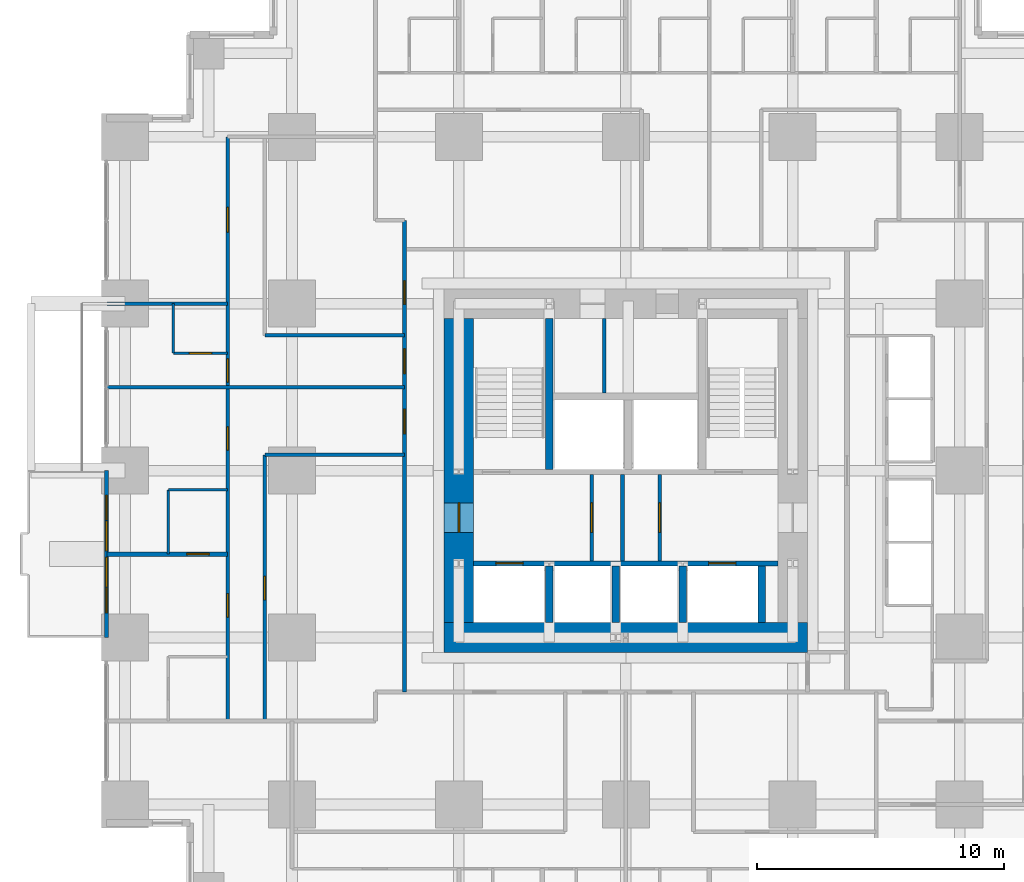
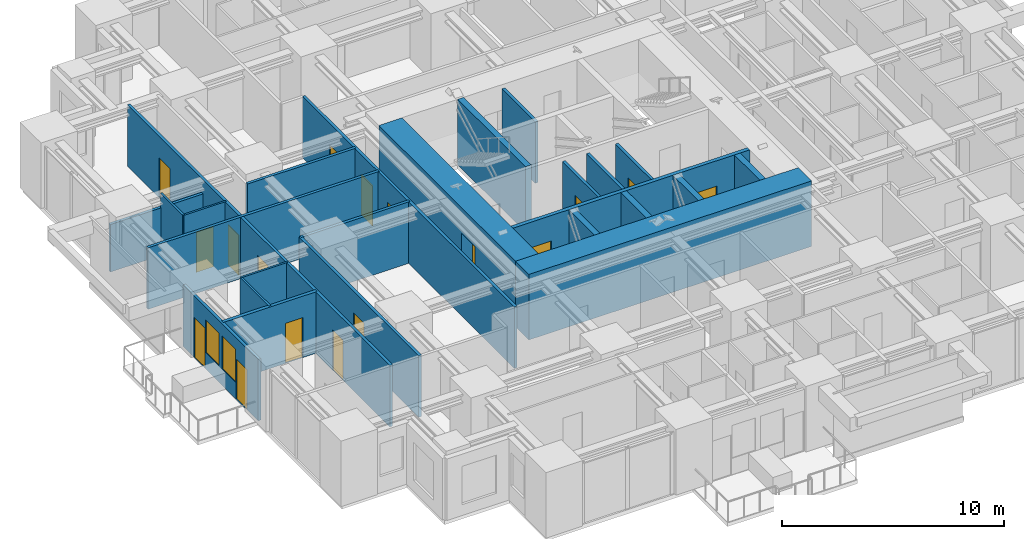
# One storey, part 9 of 15: 25 walls, 17 doors, 2 windows, 19 openings.
"""IFC4 building model written with IfcOpenShell, lengths in metres."""

from ifc_helpers import new_model, si_unit, direction, frame, frame_2d, origin, place, context, subcontext, project, spatial, rectangle, extrude, material, layer, layer_set, type_object, element, fill, save


model = new_model("IFC4")

# Units and contexts
model_context = context("Model", 3, precision=1e-05, world=origin(), true_north=direction((0.0, 1.0)))
body_context = subcontext(model_context, "Body", "Model", "MODEL_VIEW")
ifc_project = project(units=[si_unit("LENGTHUNIT", "METRE"), si_unit("AREAUNIT", "SQUARE_METRE"), si_unit("VOLUMEUNIT", "CUBIC_METRE"), si_unit("PLANEANGLEUNIT", "RADIAN"), si_unit("MASSUNIT", "GRAM", prefix="KILO")], contexts=[model_context])

# Site, building, storey
site_placement = place(None, origin())
site = spatial("IfcSite", under=ifc_project, at=site_placement, CompositionType="ELEMENT")
building_placement = place(site_placement, origin())
building = spatial("IfcBuilding", under=site, at=building_placement, Name="Nyansa Garden Tower", CompositionType="ELEMENT")
storey_placement = place(building_placement, frame((0.0, 0.0, 32.39990234375)))
storey = spatial("IfcBuildingStorey", under=building, at=storey_placement, Name="L08", CompositionType="ELEMENT", Elevation=32.39990234375)

# Wall, opening, door
ifc_material_1 = material(Name="Dense blockwork, plastered both sides, 55 dB", Category="masonry")
ifc_layer_1 = layer(ifc_material_1, 0.175048828125)
ifc_layer_set_1 = layer_set([ifc_layer_1], Name="Acoustic party wall PW175")
wall_type_1 = type_object("IfcWallType", Name="Acoustic party wall PW175", PredefinedType="PARTITIONING", material=ifc_layer_set_1)
wall_1_placement = place(storey_placement, frame((-0.73388671875, 16.875, 0.0), z_axis=(0.0, 0.0, 1.0), x_axis=(1.0, 0.0, 0.0)))
wall_1 = element("IfcWall", 1, at=wall_1_placement, inside=storey, type_object=wall_type_1, Name="Party wall", PredefinedType="PARTITIONING", context=body_context, shape_type="SweptSolid", body=[
    extrude(rectangle(XDim=4.8837890625, YDim=0.175048828125, at=frame_2d((2.44189453125, 0.0))), origin(), (0.0, 0.0, 1.0), 3.375),
])
opening_1_placement = place(wall_1_placement, frame((3.23388671875, 0.0, 0.0)))
opening_1 = element("IfcOpeningElement", 2, at=opening_1_placement, cuts=wall_1, Name="Opening D02", PredefinedType="OPENING", context=body_context, shape_type="SweptSolid", body=[
    extrude(rectangle(XDim=0.89990234375, YDim=2.199951171875, at=frame_2d((0.449951171875, 1.10009765625))), frame((0.0, 0.097412109375, 0.0), z_axis=(0.0, -1.0, 0.0), x_axis=(1.0, 0.0, 0.0)), (0.0, 0.0, 1.0), 0.195068359375),
])
ifc_material_2 = material(Name="Timber flush door", Category="wood")
door_type_1 = type_object("IfcDoorType", Name="En-suite door D02 900x2200", OperationType="SINGLE_SWING_RIGHT", PredefinedType="DOOR", material=ifc_material_2)
door_1_placement = place(opening_1_placement, origin())
door_1 = element("IfcDoor", 3, at=door_1_placement, inside=storey, type_object=door_type_1, Name="Door L08-075", OperationType="SINGLE_SWING_RIGHT", OverallHeight=2.199951171875, OverallWidth=0.89990234375, PredefinedType="DOOR", context=body_context, shape_type="SweptSolid", body=[
    extrude(rectangle(XDim=0.89990234375, YDim=2.199951171875, at=frame_2d((0.449951171875, 1.10009765625))), frame((0.0, 0.02490234375, 0.0), z_axis=(0.0, -1.0, 0.0), x_axis=(1.0, 0.0, 0.0)), (0.0, 0.0, 1.0), 0.050048828125),
])
fill(opening_1, door_1)

# Wall, openings, doors, windows
ifc_material_3 = material(Name="Black aluminium framed glazed screen", Category="aluminium")
ifc_layer_2 = layer(ifc_material_3, 0.14990234375)
ifc_layer_set_2 = layer_set([ifc_layer_2], Name="Balcony screen wall BW150")
wall_type_2 = type_object("IfcWallType", Name="Balcony screen wall BW150", PredefinedType="SOLIDWALL", material=ifc_layer_set_2)
wall_2_placement = place(storey_placement, frame((-0.75, 13.5, 0.0), z_axis=(0.0, 0.0, 1.0), x_axis=(0.0, 1.0, 0.0)))
wall_2 = element("IfcWall", 4, at=wall_2_placement, inside=storey, type_object=wall_type_2, Name="Glazed screen wall L08 W", PredefinedType="SOLIDWALL", context=body_context, shape_type="SweptSolid", body=[
    extrude(rectangle(XDim=6.75, YDim=0.14990234375, at=frame_2d((3.375, 0.0))), origin(), (0.0, 0.0, 1.0), 3.375),
])
opening_2_placement = place(wall_2_placement, frame((0.995849609375, 0.0, 0.0)))
opening_2 = element("IfcOpeningElement", 5, at=opening_2_placement, cuts=wall_2, Name="Opening D20", PredefinedType="OPENING", context=body_context, shape_type="SweptSolid", body=[
    extrude(rectangle(XDim=1.0, YDim=2.199951171875, at=frame_2d((0.5, 1.10009765625))), frame((0.0, 0.0849609375, 0.0), z_axis=(0.0, -1.0, 0.0), x_axis=(1.0, 0.0, 0.0)), (0.0, 0.0, 1.0), 0.169921875),
])
opening_3_placement = place(wall_2_placement, frame((2.041748046875, 0.0, 0.89990234375)))
opening_3 = element("IfcOpeningElement", 6, at=opening_3_placement, cuts=wall_2, Name="Opening W6", PredefinedType="OPENING", context=body_context, shape_type="SweptSolid", body=[
    extrude(rectangle(XDim=1.199951171875, YDim=1.800048828125, at=frame_2d((0.60009765625, 0.89990234375))), frame((0.0, 0.0849609375, 0.0), z_axis=(0.0, -1.0, 0.0), x_axis=(1.0, 0.0, 0.0)), (0.0, 0.0, 1.0), 0.169921875),
])
opening_4_placement = place(wall_2_placement, frame((4.754150390625, 0.0, 0.0)))
opening_4 = element("IfcOpeningElement", 7, at=opening_4_placement, cuts=wall_2, Name="Opening D20", PredefinedType="OPENING", context=body_context, shape_type="SweptSolid", body=[
    extrude(rectangle(XDim=1.0, YDim=2.199951171875, at=frame_2d((0.5, 1.10009765625))), frame((0.0, 0.0849609375, 0.0), z_axis=(0.0, -1.0, 0.0), x_axis=(1.0, 0.0, 0.0)), (0.0, 0.0, 1.0), 0.169921875),
])
opening_5_placement = place(wall_2_placement, frame((3.50830078125, 0.0, 0.89990234375)))
opening_5 = element("IfcOpeningElement", 8, at=opening_5_placement, cuts=wall_2, Name="Opening W6", PredefinedType="OPENING", context=body_context, shape_type="SweptSolid", body=[
    extrude(rectangle(XDim=1.199951171875, YDim=1.800048828125, at=frame_2d((0.60009765625, 0.89990234375))), frame((0.0, 0.0849609375, 0.0), z_axis=(0.0, -1.0, 0.0), x_axis=(1.0, 0.0, 0.0)), (0.0, 0.0, 1.0), 0.169921875),
])
ifc_material_4 = material(Name="Black aluminium framed glazed door", Category="aluminium")
door_type_2 = type_object("IfcDoorType", Name="Balcony door D20 1000x2200", OperationType="NOTDEFINED", PredefinedType="DOOR", material=ifc_material_4)
door_2_placement = place(opening_2_placement, origin())
door_2 = element("IfcDoor", 9, at=door_2_placement, inside=storey, type_object=door_type_2, Name="Balcony door L08", OperationType="SINGLE_SWING_LEFT", OverallHeight=2.199951171875, OverallWidth=1.0, PredefinedType="DOOR", context=body_context, shape_type="SweptSolid", body=[
    extrude(rectangle(XDim=1.0, YDim=2.199951171875, at=frame_2d((0.5, 1.10009765625))), frame((0.0, 0.02490234375, 0.0), z_axis=(0.0, -1.0, 0.0), x_axis=(1.0, 0.0, 0.0)), (0.0, 0.0, 1.0), 0.050048828125),
])
fill(opening_2, door_2)
door_3_placement = place(opening_4_placement, origin())
door_3 = element("IfcDoor", 10, at=door_3_placement, inside=storey, type_object=door_type_2, Name="Balcony door L08", OperationType="SINGLE_SWING_RIGHT", OverallHeight=2.199951171875, OverallWidth=1.0, PredefinedType="DOOR", context=body_context, shape_type="SweptSolid", body=[
    extrude(rectangle(XDim=1.0, YDim=2.199951171875, at=frame_2d((0.5, 1.10009765625))), frame((0.0, 0.02490234375, 0.0), z_axis=(0.0, -1.0, 0.0), x_axis=(1.0, 0.0, 0.0)), (0.0, 0.0, 1.0), 0.050048828125),
])
fill(opening_4, door_3)
ifc_material_5 = material(Name="Black aluminium frame, dark tinted double glazing", Category="aluminium")
window_type = type_object("IfcWindowType", Name="Balcony window W6 1200x1800", PartitioningType="SINGLE_PANEL", PredefinedType="WINDOW", material=ifc_material_5)
window_1_placement = place(opening_3_placement, origin())
window_1 = element("IfcWindow", 11, at=window_1_placement, inside=storey, type_object=window_type, Name="Window L08", OverallHeight=1.800048828125, OverallWidth=1.199951171875, PartitioningType="SINGLE_PANEL", PredefinedType="WINDOW", context=body_context, shape_type="SweptSolid", body=[
    extrude(rectangle(XDim=1.199951171875, YDim=1.800048828125, at=frame_2d((0.60009765625, 0.89990234375))), frame((0.0, 0.030029296875, 0.0), z_axis=(0.0, -1.0, 0.0), x_axis=(1.0, 0.0, 0.0)), (0.0, 0.0, 1.0), 0.06005859375),
])
fill(opening_3, window_1)
window_2_placement = place(opening_5_placement, origin())
window_2 = element("IfcWindow", 12, at=window_2_placement, inside=storey, type_object=window_type, Name="Window L08", OverallHeight=1.800048828125, OverallWidth=1.199951171875, PartitioningType="SINGLE_PANEL", PredefinedType="WINDOW", context=body_context, shape_type="SweptSolid", body=[
    extrude(rectangle(XDim=1.199951171875, YDim=1.800048828125, at=frame_2d((0.60009765625, 0.89990234375))), frame((0.0, 0.030029296875, 0.0), z_axis=(0.0, -1.0, 0.0), x_axis=(1.0, 0.0, 0.0)), (0.0, 0.0, 1.0), 0.06005859375),
])
fill(opening_5, window_2)

# Wall, openings, doors
ifc_material_6 = material(Name="Concrete C70/85", Category="concrete")
ifc_layer_3 = layer(ifc_material_6, 0.199951171875)
ifc_layer_set_3 = layer_set([ifc_layer_3], Name="Core inner wall CI200")
wall_type_3 = type_object("IfcWallType", Name="Core inner wall CI200", PredefinedType="SHEAR", material=ifc_layer_set_3)
wall_3_placement = place(storey_placement, frame((14.10009765625, 16.5, 0.0), z_axis=(0.0, 0.0, 1.0), x_axis=(1.0, 0.0, 0.0)))
wall_3 = element("IfcWall", 13, at=wall_3_placement, inside=storey, type_object=wall_type_3, Name="Core inner wall L08", PredefinedType="SHEAR", context=body_context, shape_type="SweptSolid", body=[
    extrude(rectangle(XDim=12.2998046875, YDim=0.199951171875, at=frame_2d((6.14990234375, 0.0))), origin(), (0.0, 0.0, 1.0), 3.60009765625),
])
opening_6_placement = place(wall_3_placement, frame((0.89990234375, 0.0, 0.0)))
opening_6 = element("IfcOpeningElement", 14, at=opening_6_placement, cuts=wall_3, Name="Opening LD-F", PredefinedType="OPENING", context=body_context, shape_type="SweptSolid", body=[
    extrude(rectangle(XDim=1.10009765625, YDim=2.199951171875, at=frame_2d((0.550048828125, 1.10009765625))), frame((0.0, 0.10986328125, 0.0), z_axis=(0.0, -1.0, 0.0), x_axis=(1.0, 0.0, 0.0)), (0.0, 0.0, 1.0), 0.219970703125),
])
opening_7_placement = place(wall_3_placement, frame((9.5, 0.0, 0.0)))
opening_7 = element("IfcOpeningElement", 15, at=opening_7_placement, cuts=wall_3, Name="Opening LD-F", PredefinedType="OPENING", context=body_context, shape_type="SweptSolid", body=[
    extrude(rectangle(XDim=1.10009765625, YDim=2.199951171875, at=frame_2d((0.550048828125, 1.10009765625))), frame((0.0, 0.10986328125, 0.0), z_axis=(0.0, -1.0, 0.0), x_axis=(1.0, 0.0, 0.0)), (0.0, 0.0, 1.0), 0.219970703125),
])
ifc_material_7 = material(Name="Stainless steel centre-opening landing door of the firefighting lift, EN 81-72, E 120", Category="steel")
door_type_3 = type_object("IfcDoorType", Name="Lift landing door LD-F 1100x2200", OperationType="DOUBLE_DOOR_SLIDING", PredefinedType="DOOR", material=ifc_material_7)
door_4_placement = place(opening_6_placement, origin())
door_4 = element("IfcDoor", 16, at=door_4_placement, inside=storey, type_object=door_type_3, Name="Landing door FF1", OperationType="DOUBLE_DOOR_SLIDING", OverallHeight=2.199951171875, OverallWidth=1.10009765625, PredefinedType="DOOR", context=body_context, shape_type="SweptSolid", body=[
    extrude(rectangle(XDim=1.10009765625, YDim=2.199951171875, at=frame_2d((0.550048828125, 1.10009765625))), frame((0.0, 0.02490234375, 0.0), z_axis=(0.0, -1.0, 0.0), x_axis=(1.0, 0.0, 0.0)), (0.0, 0.0, 1.0), 0.050048828125),
])
fill(opening_6, door_4)
door_5_placement = place(opening_7_placement, origin())
door_5 = element("IfcDoor", 17, at=door_5_placement, inside=storey, type_object=door_type_3, Name="Landing door FF2", OperationType="DOUBLE_DOOR_SLIDING", OverallHeight=2.199951171875, OverallWidth=1.10009765625, PredefinedType="DOOR", context=body_context, shape_type="SweptSolid", body=[
    extrude(rectangle(XDim=1.10009765625, YDim=2.199951171875, at=frame_2d((0.550048828125, 1.10009765625))), frame((0.0, 0.02490234375, 0.0), z_axis=(0.0, -1.0, 0.0), x_axis=(1.0, 0.0, 0.0)), (0.0, 0.0, 1.0), 0.050048828125),
])
fill(opening_7, door_5)

# Walls
ifc_material_8 = material(Name="Concrete C70/85", Category="concrete")
ifc_layer_4 = layer(ifc_material_8, 0.300048828125)
ifc_layer_set_4 = layer_set([ifc_layer_4], Name="Core inner wall CI300")
wall_type_4 = type_object("IfcWallType", Name="Core inner wall CI300", PredefinedType="SHEAR", material=ifc_layer_set_4)
wall_4_placement = place(storey_placement, frame((17.14990234375, 20.300048828125, 0.0), z_axis=(0.0, 0.0, 1.0), x_axis=(0.0, 1.0, 0.0)))
element("IfcWall", 18, at=wall_4_placement, inside=storey, type_object=wall_type_4, Name="Core inner wall L08", PredefinedType="SHEAR", context=body_context, shape_type="SweptSolid", body=[
    extrude(rectangle(XDim=6.099853515625, YDim=0.300048828125, at=frame_2d((3.0498046875, 0.0))), origin(), (0.0, 0.0, 1.0), 3.60009765625),
])
for number, where, z_axis, x_axis, name in (
    (19, (17.14990234375, 14.10009765625, 0.0), (0.0, 0.0, 1.0), (0.0, 1.0, 0.0), "Core inner wall L08"),
    (20, (19.85009765625, 14.10009765625, 0.0), (0.0, 0.0, 1.0), (0.0, 1.0, 0.0), "Core inner wall L08"),
    (21, (22.550048828125, 14.10009765625, 0.0), (0.0, 0.0, 1.0), (0.0, 1.0, 0.0), "Core inner wall L08"),
    (22, (25.75, 14.10009765625, 0.0), (0.0, 0.0, 1.0), (0.0, 1.0, 0.0), "Core inner wall L08"),
):
    element("IfcWall", number, at=place(storey_placement, frame(where, z_axis=z_axis, x_axis=x_axis)), inside=storey, type_object=wall_type_4, Name=name, PredefinedType="SHEAR", context=body_context, shape_type="SweptSolid", body=[
        extrude(rectangle(XDim=2.2998046875, YDim=0.300048828125, at=frame_2d((1.14990234375, 0.0))), origin(), (0.0, 0.0, 1.0), 3.60009765625),
    ])
ifc_material_9 = material(Name="Concrete C80/95", Category="concrete")
ifc_layer_5 = layer(ifc_material_9, 1.199951171875)
ifc_layer_set_5 = layer_set([ifc_layer_5], Name="Core wall CW1200")
wall_type_5 = type_object("IfcWallType", Name="Core wall CW1200", PredefinedType="SHEAR", material=ifc_layer_set_5)
wall_5_placement = place(storey_placement, frame((12.89990234375, 13.5, 0.0), z_axis=(0.0, 0.0, 1.0), x_axis=(1.0, 0.0, 0.0)))
element("IfcWall", 23, at=wall_5_placement, inside=storey, type_object=wall_type_5, Name="Core wall S L08", PredefinedType="SHEAR", context=body_context, shape_type="SweptSolid", body=[
    extrude(rectangle(XDim=14.7001953125, YDim=1.199951171875, at=frame_2d((7.35009765625, 0.0))), origin(), (0.0, 0.0, 1.0), 3.60009765625),
])

# Wall, opening, door
wall_6_placement = place(storey_placement, frame((13.5, 26.39990234375, 0.0), z_axis=(0.0, 0.0, 1.0), x_axis=(0.0, -1.0, 0.0)))
wall_6 = element("IfcWall", 24, at=wall_6_placement, inside=storey, type_object=wall_type_5, Name="Core wall W L08", PredefinedType="SHEAR", context=body_context, shape_type="SweptSolid", body=[
    extrude(rectangle(XDim=12.2998046875, YDim=1.199951171875, at=frame_2d((6.14990234375, 0.0))), origin(), (0.0, 0.0, 1.0), 3.60009765625),
])
opening_8_placement = place(wall_6_placement, frame((7.449951171875, 0.0, 0.0)))
opening_8 = element("IfcOpeningElement", 25, at=opening_8_placement, cuts=wall_6, Name="Opening D06", PredefinedType="OPENING", context=body_context, shape_type="SweptSolid", body=[
    extrude(rectangle(XDim=1.199951171875, YDim=2.199951171875, at=frame_2d((0.60009765625, 1.10009765625))), frame((0.0, 0.60986328125, 0.0), z_axis=(0.0, -1.0, 0.0), x_axis=(1.0, 0.0, 0.0)), (0.0, 0.0, 1.0), 1.219970703125),
])
ifc_material_10 = material(Name="Steel door, 120 minute fire resisting", Category="steel")
door_type_4 = type_object("IfcDoorType", Name="Lobby door D06 1200x2200", OperationType="DOUBLE_DOOR_SINGLE_SWING", PredefinedType="DOOR", material=ifc_material_10)
door_6_placement = place(opening_8_placement, origin())
door_6 = element("IfcDoor", 26, at=door_6_placement, inside=storey, type_object=door_type_4, Name="Lift lobby door west", OperationType="DOUBLE_DOOR_SINGLE_SWING", OverallHeight=2.199951171875, OverallWidth=1.199951171875, PredefinedType="DOOR", context=body_context, shape_type="SweptSolid", body=[
    extrude(rectangle(XDim=1.199951171875, YDim=2.199951171875, at=frame_2d((0.60009765625, 1.10009765625))), frame((0.0, 0.02490234375, 0.0), z_axis=(0.0, -1.0, 0.0), x_axis=(1.0, 0.0, 0.0)), (0.0, 0.0, 1.0), 0.050048828125),
])
fill(opening_8, door_6)

ifc_material_11 = material(Name="Blockwork, plastered both sides", Category="masonry")
ifc_layer_6 = layer(ifc_material_11, 0.14990234375)
ifc_layer_set_6 = layer_set([ifc_layer_6], Name="Partition PW150")
wall_type_6 = type_object("IfcWallType", Name="Partition PW150", PredefinedType="PARTITIONING", material=ifc_layer_set_6)
wall_7_placement = place(storey_placement, frame((18.875, 16.60009765625, 0.0), z_axis=(0.0, 0.0, 1.0), x_axis=(0.0, 1.0, 0.0)))
wall_7 = element("IfcWall", 27, at=wall_7_placement, inside=storey, type_object=wall_type_6, Name="Partition", PredefinedType="PARTITIONING", context=body_context, shape_type="SweptSolid", body=[
    extrude(rectangle(XDim=3.5, YDim=0.14990234375, at=frame_2d((1.75, 0.0))), origin(), (0.0, 0.0, 1.0), 3.375),
])
opening_9_placement = place(wall_7_placement, frame((1.14990234375, 0.0, 0.0)))
opening_9 = element("IfcOpeningElement", 28, at=opening_9_placement, cuts=wall_7, Name="Opening D06", PredefinedType="OPENING", context=body_context, shape_type="SweptSolid", body=[
    extrude(rectangle(XDim=1.199951171875, YDim=2.199951171875, at=frame_2d((0.60009765625, 1.10009765625))), frame((0.0, 0.0849609375, 0.0), z_axis=(0.0, -1.0, 0.0), x_axis=(1.0, 0.0, 0.0)), (0.0, 0.0, 1.0), 0.169921875),
])
door_7_placement = place(opening_9_placement, origin())
door_7 = element("IfcDoor", 29, at=door_7_placement, inside=storey, type_object=door_type_4, Name="Passenger lift lobby door", OperationType="DOUBLE_DOOR_SINGLE_SWING", OverallHeight=2.199951171875, OverallWidth=1.199951171875, PredefinedType="DOOR", context=body_context, shape_type="SweptSolid", body=[
    extrude(rectangle(XDim=1.199951171875, YDim=2.199951171875, at=frame_2d((0.60009765625, 1.10009765625))), frame((0.0, 0.02490234375, 0.0), z_axis=(0.0, -1.0, 0.0), x_axis=(1.0, 0.0, 0.0)), (0.0, 0.0, 1.0), 0.050048828125),
])
fill(opening_9, door_7)

wall_8_placement = place(storey_placement, frame((21.625, 16.60009765625, 0.0), z_axis=(0.0, 0.0, 1.0), x_axis=(0.0, 1.0, 0.0)))
wall_8 = element("IfcWall", 30, at=wall_8_placement, inside=storey, type_object=wall_type_6, Name="Partition", PredefinedType="PARTITIONING", context=body_context, shape_type="SweptSolid", body=[
    extrude(rectangle(XDim=3.5, YDim=0.14990234375, at=frame_2d((1.75, 0.0))), origin(), (0.0, 0.0, 1.0), 3.375),
])
opening_10_placement = place(wall_8_placement, frame((1.14990234375, 0.0, 0.0)))
opening_10 = element("IfcOpeningElement", 31, at=opening_10_placement, cuts=wall_8, Name="Opening D06", PredefinedType="OPENING", context=body_context, shape_type="SweptSolid", body=[
    extrude(rectangle(XDim=1.199951171875, YDim=2.199951171875, at=frame_2d((0.60009765625, 1.10009765625))), frame((0.0, 0.0849609375, 0.0), z_axis=(0.0, -1.0, 0.0), x_axis=(1.0, 0.0, 0.0)), (0.0, 0.0, 1.0), 0.169921875),
])
door_8_placement = place(opening_10_placement, origin())
door_8 = element("IfcDoor", 32, at=door_8_placement, inside=storey, type_object=door_type_4, Name="Passenger lift lobby door", OperationType="DOUBLE_DOOR_SINGLE_SWING", OverallHeight=2.199951171875, OverallWidth=1.199951171875, PredefinedType="DOOR", context=body_context, shape_type="SweptSolid", body=[
    extrude(rectangle(XDim=1.199951171875, YDim=2.199951171875, at=frame_2d((0.60009765625, 1.10009765625))), frame((0.0, 0.02490234375, 0.0), z_axis=(0.0, -1.0, 0.0), x_axis=(1.0, 0.0, 0.0)), (0.0, 0.0, 1.0), 0.050048828125),
])
fill(opening_10, door_8)

# Walls
wall_9_placement = place(storey_placement, frame((20.1201171875, 16.60009765625, 0.0), z_axis=(0.0, 0.0, 1.0), x_axis=(0.0, 1.0, 0.0)))
element("IfcWall", 33, at=wall_9_placement, inside=storey, type_object=wall_type_6, Name="Partition", PredefinedType="PARTITIONING", context=body_context, shape_type="SweptSolid", body=[
    extrude(rectangle(XDim=3.5, YDim=0.14990234375, at=frame_2d((1.75, 0.0))), origin(), (0.0, 0.0, 1.0), 3.375),
])
wall_10_placement = place(storey_placement, frame((19.375, 23.39990234375, 0.0), z_axis=(0.0, 0.0, 1.0), x_axis=(0.0, 1.0, 0.0)))
element("IfcWall", 34, at=wall_10_placement, inside=storey, type_object=wall_type_6, Name="Partition", PredefinedType="PARTITIONING", context=body_context, shape_type="SweptSolid", body=[
    extrude(rectangle(XDim=3.0, YDim=0.14990234375, at=frame_2d((1.5, 0.0))), origin(), (0.0, 0.0, 1.0), 3.375),
])
wall_11_placement = place(storey_placement, frame((-0.73388671875, 23.625, 0.0), z_axis=(0.0, 0.0, 1.0), x_axis=(1.0, 0.0, 0.0)))
element("IfcWall", 35, at=wall_11_placement, inside=storey, type_object=wall_type_6, Name="Partition", PredefinedType="PARTITIONING", context=body_context, shape_type="SweptSolid", body=[
    extrude(rectangle(XDim=12.033935546875, YDim=0.14990234375, at=frame_2d((6.01708984375, 0.0))), origin(), (0.0, 0.0, 1.0), 3.375),
])
wall_12_placement = place(storey_placement, frame((-0.73388671875, 27.0, 0.0), z_axis=(0.0, 0.0, 1.0), x_axis=(1.0, 0.0, 0.0)))
element("IfcWall", 36, at=wall_12_placement, inside=storey, type_object=wall_type_6, Name="Partition", PredefinedType="PARTITIONING", context=body_context, shape_type="SweptSolid", body=[
    extrude(rectangle(XDim=4.8837890625, YDim=0.14990234375, at=frame_2d((2.44189453125, 0.0))), origin(), (0.0, 0.0, 1.0), 2.610107421875),
])

# Wall, openings, doors
wall_13_placement = place(storey_placement, frame((4.14990234375, 10.125, 0.0), z_axis=(0.0, 0.0, 1.0), x_axis=(0.0, 1.0, 0.0)))
wall_13 = element("IfcWall", 37, at=wall_13_placement, inside=storey, type_object=wall_type_6, Name="Partition", PredefinedType="PARTITIONING", context=body_context, shape_type="SweptSolid", body=[
    extrude(rectangle(XDim=23.625, YDim=0.14990234375, at=frame_2d((11.8125, 0.0))), origin(), (0.0, 0.0, 1.0), 3.375),
])
opening_11_placement = place(wall_13_placement, frame((19.77490234375, 0.0, 0.0)))
opening_11 = element("IfcOpeningElement", 38, at=opening_11_placement, cuts=wall_13, Name="Opening D03", PredefinedType="OPENING", context=body_context, shape_type="SweptSolid", body=[
    extrude(rectangle(XDim=1.0, YDim=2.199951171875, at=frame_2d((0.5, 1.10009765625))), frame((0.0, 0.0849609375, 0.0), z_axis=(0.0, -1.0, 0.0), x_axis=(1.0, 0.0, 0.0)), (0.0, 0.0, 1.0), 0.169921875),
])
opening_12_placement = place(wall_13_placement, frame((13.699951171875, 0.0, 0.0)))
opening_12 = element("IfcOpeningElement", 39, at=opening_12_placement, cuts=wall_13, Name="Opening D01", PredefinedType="OPENING", context=body_context, shape_type="SweptSolid", body=[
    extrude(rectangle(XDim=0.949951171875, YDim=2.199951171875, at=frame_2d((0.47509765625, 1.10009765625))), frame((0.0, 0.0849609375, 0.0), z_axis=(0.0, -1.0, 0.0), x_axis=(1.0, 0.0, 0.0)), (0.0, 0.0, 1.0), 0.169921875),
])
opening_13_placement = place(wall_13_placement, frame((4.199951171875, 0.0, 0.0)))
opening_13 = element("IfcOpeningElement", 40, at=opening_13_placement, cuts=wall_13, Name="Opening D14", PredefinedType="OPENING", context=body_context, shape_type="SweptSolid", body=[
    extrude(rectangle(XDim=0.949951171875, YDim=2.199951171875, at=frame_2d((0.47509765625, 1.10009765625))), frame((0.0, 0.0849609375, 0.0), z_axis=(0.0, -1.0, 0.0), x_axis=(1.0, 0.0, 0.0)), (0.0, 0.0, 1.0), 0.169921875),
])
opening_14_placement = place(wall_13_placement, frame((10.949951171875, 0.0, 0.0)))
opening_14 = element("IfcOpeningElement", 41, at=opening_14_placement, cuts=wall_13, Name="Opening D14", PredefinedType="OPENING", context=body_context, shape_type="SweptSolid", body=[
    extrude(rectangle(XDim=0.949951171875, YDim=2.199951171875, at=frame_2d((0.47509765625, 1.10009765625))), frame((0.0, 0.0849609375, 0.0), z_axis=(0.0, -1.0, 0.0), x_axis=(1.0, 0.0, 0.0)), (0.0, 0.0, 1.0), 0.169921875),
])
ifc_material_12 = material(Name="Timber flush door, 30 minute fire resisting", Category="wood")
door_type_5 = type_object("IfcDoorType", Name="Bedroom door D01 950x2200", OperationType="SINGLE_SWING_LEFT", PredefinedType="DOOR", material=ifc_material_12)
door_9_placement = place(opening_12_placement, origin())
door_9 = element("IfcDoor", 42, at=door_9_placement, inside=storey, type_object=door_type_5, Name="Door L08-069", OperationType="SINGLE_SWING_LEFT", OverallHeight=2.199951171875, OverallWidth=0.949951171875, PredefinedType="DOOR", context=body_context, shape_type="SweptSolid", body=[
    extrude(rectangle(XDim=0.949951171875, YDim=2.199951171875, at=frame_2d((0.47509765625, 1.10009765625))), frame((0.0, 0.02490234375, 0.0), z_axis=(0.0, -1.0, 0.0), x_axis=(1.0, 0.0, 0.0)), (0.0, 0.0, 1.0), 0.050048828125),
])
fill(opening_12, door_9)
ifc_material_13 = material(Name="Timber flush door, 60 minute fire resisting", Category="wood")
door_type_6 = type_object("IfcDoorType", Name="Cluster entrance door D03 1000x2200", OperationType="SINGLE_SWING_LEFT", PredefinedType="DOOR", material=ifc_material_13)
door_10_placement = place(opening_11_placement, origin())
door_10 = element("IfcDoor", 43, at=door_10_placement, inside=storey, type_object=door_type_6, Name="Door L08-068", OperationType="SINGLE_SWING_LEFT", OverallHeight=2.199951171875, OverallWidth=1.0, PredefinedType="DOOR", context=body_context, shape_type="SweptSolid", body=[
    extrude(rectangle(XDim=1.0, YDim=2.199951171875, at=frame_2d((0.5, 1.10009765625))), frame((0.0, 0.02490234375, 0.0), z_axis=(0.0, -1.0, 0.0), x_axis=(1.0, 0.0, 0.0)), (0.0, 0.0, 1.0), 0.050048828125),
])
fill(opening_11, door_10)
ifc_material_14 = material(Name="Timber flush door, 60 minute fire resisting, self-closing", Category="wood")
door_type_7 = type_object("IfcDoorType", Name="Studio entrance door D14 950x2200", OperationType="SINGLE_SWING_LEFT", PredefinedType="DOOR", material=ifc_material_14)
door_11_placement = place(opening_13_placement, origin())
door_11 = element("IfcDoor", 44, at=door_11_placement, inside=storey, type_object=door_type_7, Name="Door L08-072", OperationType="SINGLE_SWING_LEFT", OverallHeight=2.199951171875, OverallWidth=0.949951171875, PredefinedType="DOOR", context=body_context, shape_type="SweptSolid", body=[
    extrude(rectangle(XDim=0.949951171875, YDim=2.199951171875, at=frame_2d((0.47509765625, 1.10009765625))), frame((0.0, 0.02490234375, 0.0), z_axis=(0.0, -1.0, 0.0), x_axis=(1.0, 0.0, 0.0)), (0.0, 0.0, 1.0), 0.050048828125),
])
fill(opening_13, door_11)
door_12_placement = place(opening_14_placement, origin())
door_12 = element("IfcDoor", 45, at=door_12_placement, inside=storey, type_object=door_type_7, Name="Door L08-074", OperationType="SINGLE_SWING_LEFT", OverallHeight=2.199951171875, OverallWidth=0.949951171875, PredefinedType="DOOR", context=body_context, shape_type="SweptSolid", body=[
    extrude(rectangle(XDim=0.949951171875, YDim=2.199951171875, at=frame_2d((0.47509765625, 1.10009765625))), frame((0.0, 0.02490234375, 0.0), z_axis=(0.0, -1.0, 0.0), x_axis=(1.0, 0.0, 0.0)), (0.0, 0.0, 1.0), 0.050048828125),
])
fill(opening_14, door_12)

# Wall, opening, door
wall_14_placement = place(storey_placement, frame((5.64990234375, 10.125, 0.0), z_axis=(0.0, 0.0, 1.0), x_axis=(0.0, 1.0, 0.0)))
wall_14 = element("IfcWall", 46, at=wall_14_placement, inside=storey, type_object=wall_type_6, Name="Partition", PredefinedType="PARTITIONING", context=body_context, shape_type="SweptSolid", body=[
    extrude(rectangle(XDim=10.762451171875, YDim=0.14990234375, at=frame_2d((5.38134765625, 0.0))), origin(), (0.0, 0.0, 1.0), 3.375),
])
opening_15_placement = place(wall_14_placement, frame((4.89990234375, 0.0, 0.0)))
opening_15 = element("IfcOpeningElement", 47, at=opening_15_placement, cuts=wall_14, Name="Opening D01", PredefinedType="OPENING", context=body_context, shape_type="SweptSolid", body=[
    extrude(rectangle(XDim=0.949951171875, YDim=2.199951171875, at=frame_2d((0.47509765625, 1.10009765625))), frame((0.0, 0.0849609375, 0.0), z_axis=(0.0, -1.0, 0.0), x_axis=(1.0, 0.0, 0.0)), (0.0, 0.0, 1.0), 0.169921875),
])
door_13_placement = place(opening_15_placement, origin())
door_13 = element("IfcDoor", 48, at=door_13_placement, inside=storey, type_object=door_type_5, Name="Door L08-078", OperationType="SINGLE_SWING_LEFT", OverallHeight=2.199951171875, OverallWidth=0.949951171875, PredefinedType="DOOR", context=body_context, shape_type="SweptSolid", body=[
    extrude(rectangle(XDim=0.949951171875, YDim=2.199951171875, at=frame_2d((0.47509765625, 1.10009765625))), frame((0.0, 0.02490234375, 0.0), z_axis=(0.0, -1.0, 0.0), x_axis=(1.0, 0.0, 0.0)), (0.0, 0.0, 1.0), 0.050048828125),
])
fill(opening_15, door_13)

# Walls
for number, where, z_axis, x_axis, name in (
    (49, (5.64990234375, 20.886962890625, 0.0), (0.0, 0.0, 1.0), (1.0, 0.0, 0.0), "Partition"),
    (50, (5.64990234375, 25.72509765625, 0.0), (0.0, 0.0, 1.0), (1.0, 0.0, 0.0), "Partition"),
):
    element("IfcWall", number, at=place(storey_placement, frame(where, z_axis=z_axis, x_axis=x_axis)), inside=storey, type_object=wall_type_6, Name=name, PredefinedType="PARTITIONING", context=body_context, shape_type="SweptSolid", body=[
        extrude(rectangle(XDim=5.650146484375, YDim=0.14990234375, at=frame_2d((2.8251953125, 0.0))), origin(), (0.0, 0.0, 1.0), 3.375),
    ])

# Wall, openings, doors
wall_15_placement = place(storey_placement, frame((11.300048828125, 11.300048828125, 0.0), z_axis=(0.0, 0.0, 1.0), x_axis=(0.0, 1.0, 0.0)))
wall_15 = element("IfcWall", 51, at=wall_15_placement, inside=storey, type_object=wall_type_6, Name="Partition", PredefinedType="PARTITIONING", context=body_context, shape_type="SweptSolid", body=[
    extrude(rectangle(XDim=19.074951171875, YDim=0.14990234375, at=frame_2d((9.53759765625, 0.0))), origin(), (0.0, 0.0, 1.0), 3.375),
])
opening_16_placement = place(wall_15_placement, frame((12.875, 0.0, 0.0)))
opening_16 = element("IfcOpeningElement", 52, at=opening_16_placement, cuts=wall_15, Name="Opening D03", PredefinedType="OPENING", context=body_context, shape_type="SweptSolid", body=[
    extrude(rectangle(XDim=1.0, YDim=2.199951171875, at=frame_2d((0.5, 1.10009765625))), frame((0.0, 0.0849609375, 0.0), z_axis=(0.0, -1.0, 0.0), x_axis=(1.0, 0.0, 0.0)), (0.0, 0.0, 1.0), 0.169921875),
])
opening_17_placement = place(wall_15_placement, frame((10.4375, 0.0, 0.0)))
opening_17 = element("IfcOpeningElement", 53, at=opening_17_placement, cuts=wall_15, Name="Opening D03", PredefinedType="OPENING", context=body_context, shape_type="SweptSolid", body=[
    extrude(rectangle(XDim=1.0, YDim=2.199951171875, at=frame_2d((0.5, 1.10009765625))), frame((0.0, 0.0849609375, 0.0), z_axis=(0.0, -1.0, 0.0), x_axis=(1.0, 0.0, 0.0)), (0.0, 0.0, 1.0), 0.169921875),
])
opening_18_placement = place(wall_15_placement, frame((15.675048828125, 0.0, 0.0)))
opening_18 = element("IfcOpeningElement", 54, at=opening_18_placement, cuts=wall_15, Name="Opening D01", PredefinedType="OPENING", context=body_context, shape_type="SweptSolid", body=[
    extrude(rectangle(XDim=0.949951171875, YDim=2.199951171875, at=frame_2d((0.47509765625, 1.10009765625))), frame((0.0, 0.0849609375, 0.0), z_axis=(0.0, -1.0, 0.0), x_axis=(1.0, 0.0, 0.0)), (0.0, 0.0, 1.0), 0.169921875),
])
door_14_placement = place(opening_18_placement, origin())
door_14 = element("IfcDoor", 55, at=door_14_placement, inside=storey, type_object=door_type_5, Name="Door L08-077", OperationType="SINGLE_SWING_LEFT", OverallHeight=2.199951171875, OverallWidth=0.949951171875, PredefinedType="DOOR", context=body_context, shape_type="SweptSolid", body=[
    extrude(rectangle(XDim=0.949951171875, YDim=2.199951171875, at=frame_2d((0.47509765625, 1.10009765625))), frame((0.0, 0.02490234375, 0.0), z_axis=(0.0, -1.0, 0.0), x_axis=(1.0, 0.0, 0.0)), (0.0, 0.0, 1.0), 0.050048828125),
])
fill(opening_18, door_14)
door_15_placement = place(opening_16_placement, origin())
door_15 = element("IfcDoor", 56, at=door_15_placement, inside=storey, type_object=door_type_6, Name="Door L08-071", OperationType="SINGLE_SWING_LEFT", OverallHeight=2.199951171875, OverallWidth=1.0, PredefinedType="DOOR", context=body_context, shape_type="SweptSolid", body=[
    extrude(rectangle(XDim=1.0, YDim=2.199951171875, at=frame_2d((0.5, 1.10009765625))), frame((0.0, 0.02490234375, 0.0), z_axis=(0.0, -1.0, 0.0), x_axis=(1.0, 0.0, 0.0)), (0.0, 0.0, 1.0), 0.050048828125),
])
fill(opening_16, door_15)
door_16_placement = place(opening_17_placement, origin())
door_16 = element("IfcDoor", 57, at=door_16_placement, inside=storey, type_object=door_type_6, Name="Door L08-076", OperationType="SINGLE_SWING_LEFT", OverallHeight=2.199951171875, OverallWidth=1.0, PredefinedType="DOOR", context=body_context, shape_type="SweptSolid", body=[
    extrude(rectangle(XDim=1.0, YDim=2.199951171875, at=frame_2d((0.5, 1.10009765625))), frame((0.0, 0.02490234375, 0.0), z_axis=(0.0, -1.0, 0.0), x_axis=(1.0, 0.0, 0.0)), (0.0, 0.0, 1.0), 0.050048828125),
])
fill(opening_17, door_16)

# Walls
ifc_material_15 = material(Name="Moisture resistant board on steel studs, tiled", Category="steel")
ifc_layer_7 = layer(ifc_material_15, 0.10009765625)
ifc_layer_set_7 = layer_set([ifc_layer_7], Name="Wet wall PW100")
wall_type_7 = type_object("IfcWallType", Name="Wet wall PW100", PredefinedType="PARTITIONING", material=ifc_layer_set_7)
wall_16_placement = place(storey_placement, frame((1.75, 16.875, 0.0), z_axis=(0.0, 0.0, 1.0), x_axis=(0.0, 1.0, 0.0)))
element("IfcWall", 58, at=wall_16_placement, inside=storey, type_object=wall_type_7, Name="Wet wall", PredefinedType="PARTITIONING", context=body_context, shape_type="SweptSolid", body=[
    extrude(rectangle(XDim=2.60009765625, YDim=0.10009765625, at=frame_2d((1.300048828125, 0.0))), origin(), (0.0, 0.0, 1.0), 3.375),
])
wall_17_placement = place(storey_placement, frame((1.75, 19.47509765625, 0.0), z_axis=(0.0, 0.0, 1.0), x_axis=(1.0, 0.0, 0.0)))
element("IfcWall", 59, at=wall_17_placement, inside=storey, type_object=wall_type_7, Name="Wet wall", PredefinedType="PARTITIONING", context=body_context, shape_type="SweptSolid", body=[
    extrude(rectangle(XDim=2.39990234375, YDim=0.10009765625, at=frame_2d((1.199951171875, 0.0))), origin(), (0.0, 0.0, 1.0), 3.375),
])
wall_18_placement = place(storey_placement, frame((1.949951171875, 25.0, 0.0), z_axis=(0.0, 0.0, 1.0), x_axis=(0.0, 1.0, 0.0)))
element("IfcWall", 60, at=wall_18_placement, inside=storey, type_object=wall_type_7, Name="Wet wall", PredefinedType="PARTITIONING", context=body_context, shape_type="SweptSolid", body=[
    extrude(rectangle(XDim=2.0, YDim=0.10009765625, at=frame_2d((1.0, 0.0))), origin(), (0.0, 0.0, 1.0), 3.375),
])

# Wall, opening, door
wall_19_placement = place(storey_placement, frame((1.949951171875, 25.0, 0.0), z_axis=(0.0, 0.0, 1.0), x_axis=(1.0, 0.0, 0.0)))
wall_19 = element("IfcWall", 61, at=wall_19_placement, inside=storey, type_object=wall_type_7, Name="Wet wall", PredefinedType="PARTITIONING", context=body_context, shape_type="SweptSolid", body=[
    extrude(rectangle(XDim=2.199951171875, YDim=0.10009765625, at=frame_2d((1.10009765625, 0.0))), origin(), (0.0, 0.0, 1.0), 3.375),
])
opening_19_placement = place(wall_19_placement, frame((0.64990234375, 0.0, 0.0)))
opening_19 = element("IfcOpeningElement", 62, at=opening_19_placement, cuts=wall_19, Name="Opening D02", PredefinedType="OPENING", context=body_context, shape_type="SweptSolid", body=[
    extrude(rectangle(XDim=0.89990234375, YDim=2.199951171875, at=frame_2d((0.449951171875, 1.10009765625))), frame((0.0, 0.06005859375, 0.0), z_axis=(0.0, -1.0, 0.0), x_axis=(1.0, 0.0, 0.0)), (0.0, 0.0, 1.0), 0.1201171875),
])
door_17_placement = place(opening_19_placement, origin())
door_17 = element("IfcDoor", 63, at=door_17_placement, inside=storey, type_object=door_type_1, Name="Door L08-070", OperationType="SINGLE_SWING_RIGHT", OverallHeight=2.199951171875, OverallWidth=0.89990234375, PredefinedType="DOOR", context=body_context, shape_type="SweptSolid", body=[
    extrude(rectangle(XDim=0.89990234375, YDim=2.199951171875, at=frame_2d((0.449951171875, 1.10009765625))), frame((0.0, 0.02490234375, 0.0), z_axis=(0.0, -1.0, 0.0), x_axis=(1.0, 0.0, 0.0)), (0.0, 0.0, 1.0), 0.050048828125),
])
fill(opening_19, door_17)

save(model, "model.ifc")
